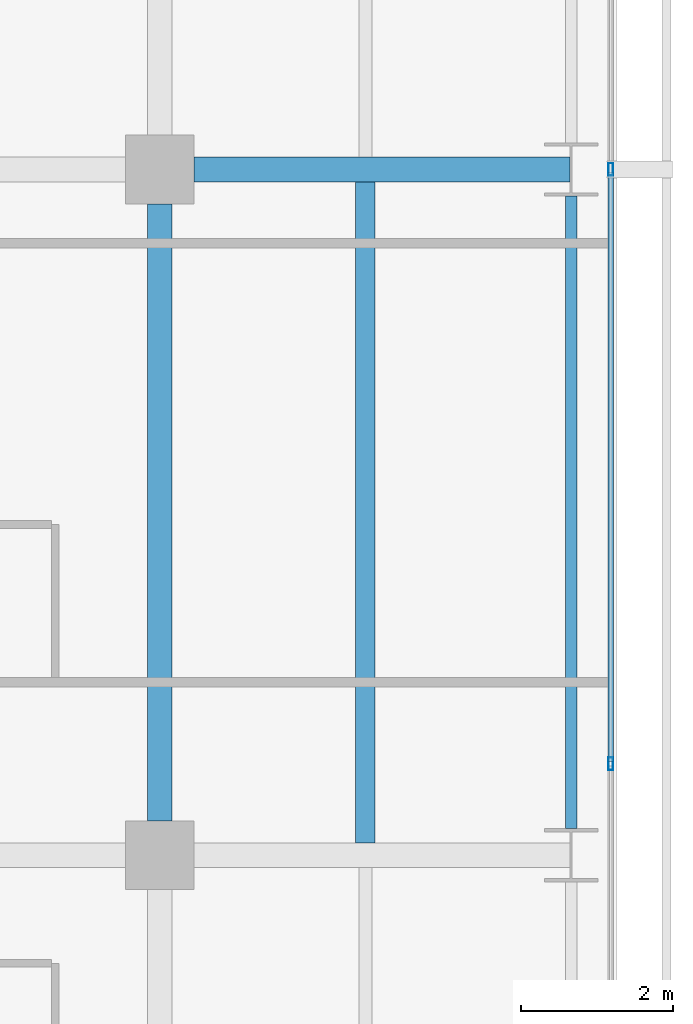
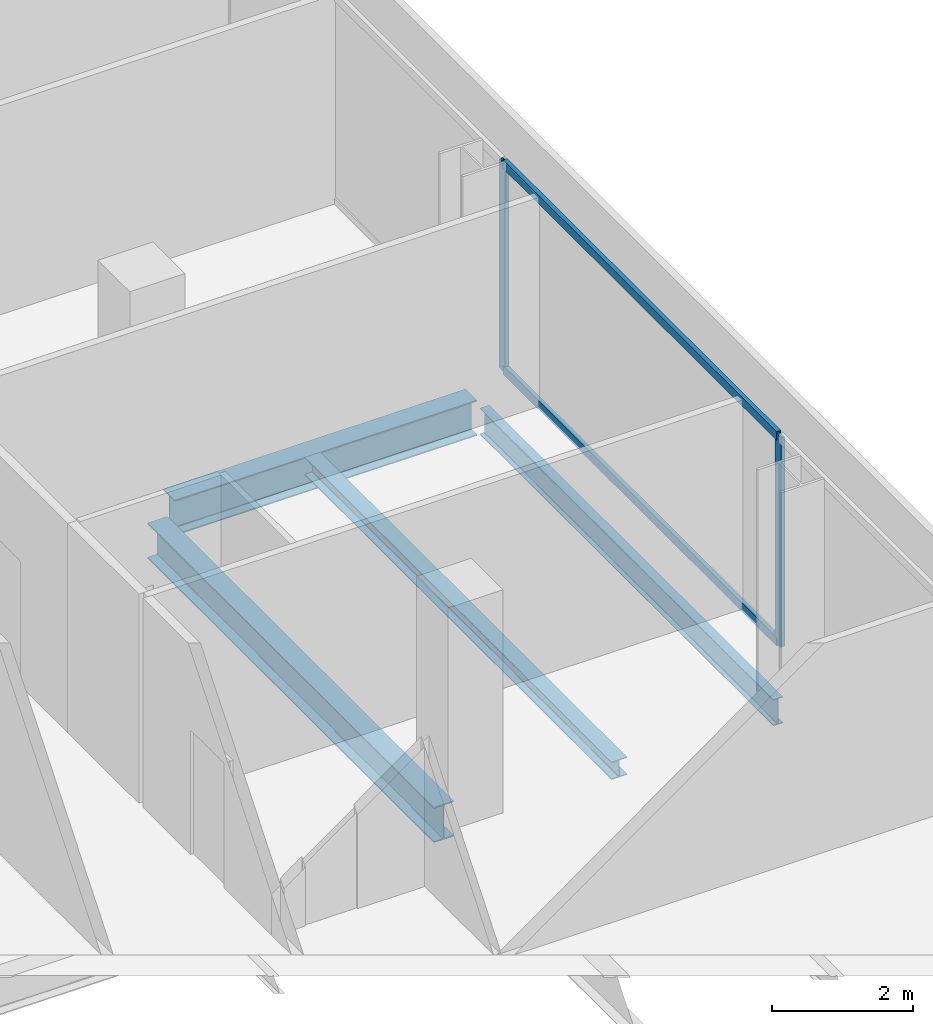
# One storey, part 19 of 40: 4 beams, 4 members, 1 element without a shape of its own.
"""IFC4 building model written with IfcOpenShell, lengths in metres."""

from ifc_helpers import new_model, si_unit, direction, frame, origin, origin_2d, place, context, subcontext, project, spatial, hollow_rectangle, i_section, extrude, material, layer, layer_set, material_profile, profile_set, type_object, element, aggregate, save


model = new_model("IFC4")

# Units and contexts
model_context = context("Model", 3, precision=1e-05, world=origin(), true_north=direction((0.0, 1.0)))
body_context = subcontext(model_context, "Body", "Model", "MODEL_VIEW")
ifc_project = project(units=[si_unit("LENGTHUNIT", "METRE"), si_unit("AREAUNIT", "SQUARE_METRE"), si_unit("VOLUMEUNIT", "CUBIC_METRE"), si_unit("PLANEANGLEUNIT", "RADIAN"), si_unit("MASSUNIT", "GRAM", prefix="KILO")], contexts=[model_context])

# Site, building, storey
site_placement = place(None, origin())
site = spatial("IfcSite", under=ifc_project, at=site_placement, CompositionType="ELEMENT")
building_placement = place(site_placement, origin())
building = spatial("IfcBuilding", under=site, at=building_placement, Name="Maruvema Waterfront Hotel and Observation Tower", CompositionType="ELEMENT")
storey_placement = place(building_placement, frame((0.0, 0.0, 88.550048828125)))
storey = spatial("IfcBuildingStorey", under=building, at=storey_placement, Name="L21", CompositionType="ELEMENT", Elevation=88.550048828125)

# Curtain wall, members
ifc_material_1 = material(Name="Anodised bronze aluminium and solar-control low-E IGU", Category="aluminium")
ifc_layer = layer(ifc_material_1, 0.159912109375, Name="Zone 1 Bronze Inner Thermal Curtain Wall System CW-02")
ifc_layer_set = layer_set([ifc_layer], Name="Anodised bronze aluminium and solar-control low-E IGU")
curtain_wall_type = type_object("IfcCurtainWallType", Name="Zone 1 Bronze Inner Thermal Curtain Wall System CW-02", PredefinedType="USERDEFINED", material=ifc_layer_set)
curtain_wall_placement = place(storey_placement, origin())
curtain_wall = element("IfcCurtainWall", 1, at=curtain_wall_placement, inside=storey, type_object=curtain_wall_type, Name="L21 Curtain Wall CW-L21-E", ObjectType="UNITISED CURTAIN WALL", PredefinedType="USERDEFINED")
ifc_material_2 = material(Name="Anodised architectural bronze aluminium", Category="aluminium")
ifc_material_profile_1 = material_profile(ifc_material_2, hollow_rectangle(XDim=0.070068359375, YDim=0.14990234375, WallThickness=0.00390625, at=origin_2d()), Name="ALU-T70x150")
ifc_profile_set_1 = profile_set([ifc_material_profile_1], Name="Anodised architectural bronze aluminium")
member_type_1 = type_object("IfcMemberType", Name="Curtain Wall Horizontal Transom ALU-T70x150", PredefinedType="USERDEFINED", material=ifc_profile_set_1)
member_1_placement = place(storey_placement, frame((64.719970703125, 19.22998046875, 0.030029296875), z_axis=(0.0, 1.0, 0.0), x_axis=(-1.0, 0.0, 0.0)))
member_1 = element("IfcMember", 2, at=member_1_placement, type_object=member_type_1, Name="CW-02 transom 3.1", ObjectType="TRANSOM", PredefinedType="USERDEFINED", context=body_context, shape_type="SweptSolid", body=[
    extrude(hollow_rectangle(XDim=0.070068359375, YDim=0.14990234375, WallThickness=0.00390625, at=origin_2d()), origin(), (0.0, 0.0, 1.0), 7.739990234375),
])
member_2_placement = place(storey_placement, frame((64.719970703125, 19.22998046875, 3.579833984375), z_axis=(0.0, 1.0, 0.0), x_axis=(-1.0, 0.0, 0.0)))
member_2 = element("IfcMember", 3, at=member_2_placement, type_object=member_type_1, Name="CW-02 transom 3.2", ObjectType="TRANSOM", PredefinedType="USERDEFINED", context=body_context, shape_type="SweptSolid", body=[
    extrude(hollow_rectangle(XDim=0.070068359375, YDim=0.14990234375, WallThickness=0.00390625, at=origin_2d()), origin(), (0.0, 0.0, 1.0), 7.739990234375),
])
ifc_material_3 = material(Name="Anodised architectural bronze aluminium", Category="aluminium")
ifc_material_profile_2 = material_profile(ifc_material_3, hollow_rectangle(XDim=0.06494140625, YDim=0.1650390625, WallThickness=0.00390625, at=origin_2d()), Name="ALU-M65x165")
ifc_profile_set_2 = profile_set([ifc_material_profile_2], Name="Anodised architectural bronze aluminium")
member_type_2 = type_object("IfcMemberType", Name="Curtain Wall Primary Mullion ALU-M65x165", PredefinedType="MULLION", material=ifc_profile_set_2)
member_3_placement = place(storey_placement, frame((64.719970703125, 19.199951171875, 0.0), z_axis=(0.0, 0.0, 1.0), x_axis=(-1.0, 0.0, 0.0)))
member_3 = element("IfcMember", 4, at=member_3_placement, type_object=member_type_2, Name="CW-02 mullion 3", PredefinedType="MULLION", context=body_context, shape_type="SweptSolid", body=[
    extrude(hollow_rectangle(XDim=0.06494140625, YDim=0.1650390625, WallThickness=0.00390625, at=origin_2d()), origin(), (0.0, 0.0, 1.0), 3.60986328125),
])
member_4_placement = place(storey_placement, frame((64.719970703125, 27.0, 0.0), z_axis=(0.0, 0.0, 1.0), x_axis=(-1.0, 0.0, 0.0)))
member_4 = element("IfcMember", 5, at=member_4_placement, type_object=member_type_2, Name="CW-02 mullion 4", PredefinedType="MULLION", context=body_context, shape_type="SweptSolid", body=[
    extrude(hollow_rectangle(XDim=0.06494140625, YDim=0.1650390625, WallThickness=0.00390625, at=origin_2d()), origin(), (0.0, 0.0, 1.0), 3.60986328125),
])
aggregate(curtain_wall, [member_3, member_4, member_1, member_2])

# Beams
ifc_material_4 = material(Name="Steel ASTM A572 Grade 50", Category="steel")
ifc_material_profile_3 = material_profile(ifc_material_4, i_section(OverallWidth=0.153076171875, OverallDepth=0.455078125, WebThickness=0.008056640625, FlangeThickness=0.01318359375, FilletRadius=0.014892578125, at=origin_2d()), Name="W460x60.0")
ifc_profile_set_3 = profile_set([ifc_material_profile_3], Name="Steel ASTM A572 Grade 50")
beam_type_1 = type_object("IfcBeamType", Name="Perimeter Spandrel Beam W460x60.0", PredefinedType="SPANDREL", material=ifc_profile_set_3)
beam_1_placement = place(storey_placement, frame((64.199951171875, 18.35009765625, -0.467529296875), z_axis=(0.0, 1.0, 0.0), x_axis=(-1.0, 0.0, 0.0)))
element("IfcBeam", 6, at=beam_1_placement, inside=storey, type_object=beam_type_1, Name="L21 Floor Girder NS-34", PredefinedType="SPANDREL", context=body_context, shape_type="SweptSolid", body=[
    extrude(i_section(OverallWidth=0.153076171875, OverallDepth=0.455078125, WebThickness=0.008056640625, FlangeThickness=0.01318359375, FilletRadius=0.014892578125, at=origin_2d()), origin(), (0.0, 0.0, 1.0), 8.2998046875),
])
ifc_material_5 = material(Name="Steel ASTM A572 Grade 50", Category="steel")
ifc_material_profile_4 = material_profile(ifc_material_5, i_section(OverallWidth=0.323974609375, OverallDepth=0.611083984375, WebThickness=0.0126953125, FlangeThickness=0.01904296875, FilletRadius=0.01806640625, at=origin_2d()), Name="W610x155.0")
ifc_profile_set_4 = profile_set([ifc_material_profile_4], Name="Steel ASTM A572 Grade 50")
beam_type_2 = type_object("IfcBeamType", Name="Primary Floor Girder W610x155.0", PredefinedType="BEAM", material=ifc_profile_set_4)
beam_2_placement = place(storey_placement, frame((59.25, 27.0, -0.545654296875), z_axis=(1.0, 0.0, 0.0), x_axis=(0.0, 1.0, 0.0)))
element("IfcBeam", 7, at=beam_2_placement, inside=storey, type_object=beam_type_2, Name="L21 Floor Girder EW-24", PredefinedType="BEAM", context=body_context, shape_type="SweptSolid", body=[
    extrude(i_section(OverallWidth=0.323974609375, OverallDepth=0.611083984375, WebThickness=0.0126953125, FlangeThickness=0.01904296875, FilletRadius=0.01806640625, at=origin_2d()), origin(), (0.0, 0.0, 1.0), 4.93603515625),
])
beam_3_placement = place(storey_placement, frame((58.800048828125, 18.449951171875, -0.545654296875), z_axis=(0.0, 1.0, 0.0), x_axis=(-1.0, 0.0, 0.0)))
element("IfcBeam", 8, at=beam_3_placement, inside=storey, type_object=beam_type_2, Name="L21 Floor Girder NS-29", PredefinedType="BEAM", context=body_context, shape_type="SweptSolid", body=[
    extrude(i_section(OverallWidth=0.323974609375, OverallDepth=0.611083984375, WebThickness=0.0126953125, FlangeThickness=0.01904296875, FilletRadius=0.01806640625, at=origin_2d()), origin(), (0.0, 0.0, 1.0), 8.10009765625),
])
ifc_material_6 = material(Name="Steel ASTM A572 Grade 50", Category="steel")
ifc_material_profile_5 = material_profile(ifc_material_6, i_section(OverallWidth=0.25390625, OverallDepth=0.305908203125, WebThickness=0.0087890625, FlangeThickness=0.0146484375, FilletRadius=0.014892578125, at=origin_2d()), Name="W310x79.0")
ifc_profile_set_5 = profile_set([ifc_material_profile_5], Name="Steel ASTM A572 Grade 50")
beam_type_3 = type_object("IfcBeamType", Name="Secondary Floor Joist W310x79.0", PredefinedType="JOIST", material=ifc_profile_set_5)
beam_4_placement = place(storey_placement, frame((61.5, 18.162109375, -0.39306640625), z_axis=(0.0, 1.0, 0.0), x_axis=(-1.0, 0.0, 0.0)))
element("IfcBeam", 9, at=beam_4_placement, inside=storey, type_object=beam_type_3, Name="L21 Secondary Floor Joist JS-22", PredefinedType="JOIST", context=body_context, shape_type="SweptSolid", body=[
    extrude(i_section(OverallWidth=0.25390625, OverallDepth=0.305908203125, WebThickness=0.0087890625, FlangeThickness=0.0146484375, FilletRadius=0.014892578125, at=origin_2d()), origin(), (0.0, 0.0, 1.0), 8.67578125),
])

save(model, "model.ifc")
